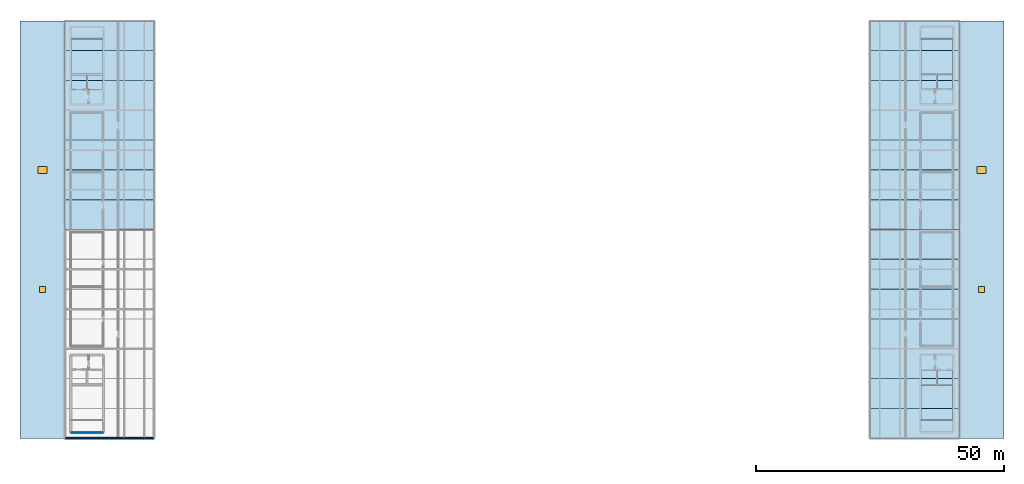
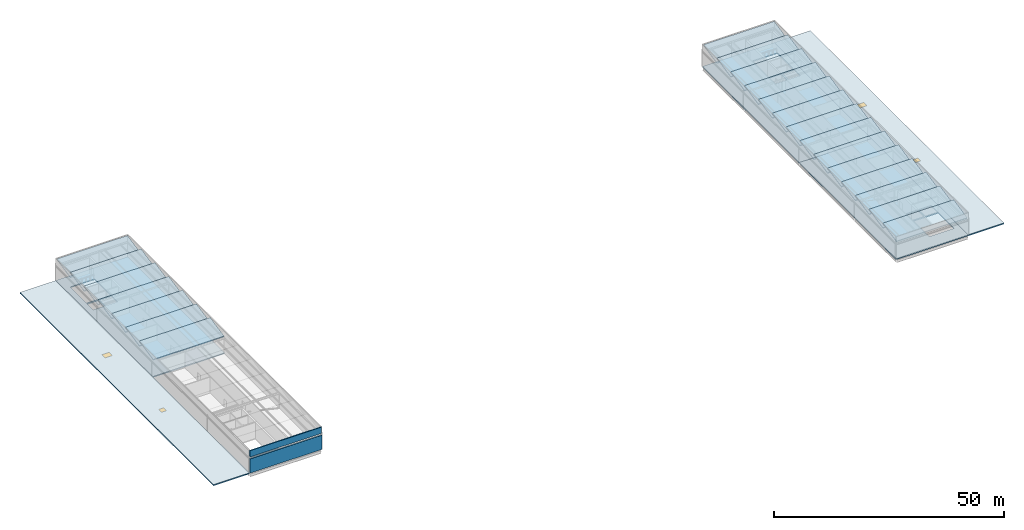
# One storey, part 8 of 13: 26 slabs, 4 windows, 3 walls, 4 openings, 2 elements without a shape of their own.
"""IFC4 building model written with IfcOpenShell, lengths in metres."""

from ifc_helpers import new_model, si_unit, direction, frame, frame_2d, origin, origin_2d, place, context, subcontext, project, spatial, polyline, rectangle, outline, extrude, material, layer, layer_set, type_object, element, fill, aggregate, save


model = new_model("IFC4")

# Units and contexts
model_context = context("Model", 3, precision=1e-05, world=origin(), true_north=direction((0.0, 1.0)))
body_context = subcontext(model_context, "Body", "Model", "MODEL_VIEW")
ifc_project = project(units=[si_unit("LENGTHUNIT", "METRE"), si_unit("AREAUNIT", "SQUARE_METRE"), si_unit("VOLUMEUNIT", "CUBIC_METRE"), si_unit("PLANEANGLEUNIT", "RADIAN"), si_unit("MASSUNIT", "GRAM", prefix="KILO")], contexts=[model_context])

# Site, building, storey
site_placement = place(None, origin())
site = spatial("IfcSite", under=ifc_project, at=site_placement, CompositionType="ELEMENT")
building_placement = place(site_placement, origin())
building = spatial("IfcBuilding", under=site, at=building_placement, Name="Kisiwana Market Hall", CompositionType="ELEMENT")
storey_placement = place(building_placement, frame((0.0, 0.0, 69.89990234375)))
storey = spatial("IfcBuildingStorey", under=building, at=storey_placement, Name="L16", CompositionType="ELEMENT", Elevation=69.89990234375)

# Roof, slabs
ifc_material_1 = material(Name="Steel S355", Category="steel")
ifc_layer_1 = layer(ifc_material_1, 0.18505859375)
ifc_layer_set_1 = layer_set([ifc_layer_1], Name="RF-SAWTOOTH")
roof_type = type_object("IfcRoofType", Name="RF-SAWTOOTH", PredefinedType="SHED_ROOF", material=ifc_layer_set_1)
roof_1_placement = place(storey_placement, origin())
roof_1 = element("IfcRoof", 1, at=roof_1_placement, inside=storey, type_object=roof_type, Name="Constructivist sawtooth crown roof assembly W", PredefinedType="SHED_ROOF")
ifc_material_2 = material(Name="Concrete C32/40", Category="concrete")
ifc_layer_2 = layer(ifc_material_2, 0.27490234375)
ifc_layer_set_2 = layer_set([ifc_layer_2], Name="SL-CRN-ROOF-230")
slab_type_1 = type_object("IfcSlabType", Name="SL-CRN-ROOF-230", PredefinedType="ROOF", material=ifc_layer_set_2)
slab_1_placement = place(storey_placement, frame((9.1298828125, 60.0, 4.494140625), z_axis=(0.0, -0.20791968542, 0.978145901394), x_axis=(1.0, 0.0, 0.0)))
slab_1 = element("IfcSlab", 2, at=slab_1_placement, type_object=slab_type_1, Name="Crown sawtooth roof deck S-489", PredefinedType="ROOF", context=body_context, shape_type="SweptSolid", body=[
    extrude(outline(polyline([(0.0, 0.0), (17.740234375, 0.0), (17.740234375, 6.134054225904585), (0.0, 6.134054225904585), (0.0, 0.0)])), origin(), (0.0, 0.0, -1.0), 0.27490234375),
])
slab_2_placement = place(storey_placement, frame((9.1298828125, 66.0, 4.494140625), z_axis=(0.0, -0.20791968542, 0.978145901394), x_axis=(1.0, 0.0, 0.0)))
slab_2 = element("IfcSlab", 3, at=slab_2_placement, type_object=slab_type_1, Name="Crown sawtooth roof deck S-490", PredefinedType="ROOF", context=body_context, shape_type="SweptSolid", body=[
    extrude(outline(polyline([(0.0, 0.0), (17.740234375, 0.0), (17.740234375, 6.134054225904585), (0.0, 6.134054225904585), (0.0, 0.0)])), origin(), (0.0, 0.0, -1.0), 0.27490234375),
])
slab_3_placement = place(storey_placement, frame((9.1298828125, 72.0, 4.494140625), z_axis=(0.0, -0.20791968542, 0.978145901394), x_axis=(1.0, 0.0, 0.0)))
slab_3 = element("IfcSlab", 4, at=slab_3_placement, type_object=slab_type_1, Name="Crown sawtooth roof deck S-491", PredefinedType="ROOF", context=body_context, shape_type="SweptSolid", body=[
    extrude(outline(polyline([(0.0, 0.0), (17.740234375, 0.0), (17.740234375, 6.134054225904585), (0.0, 6.134054225904585), (0.0, 0.0)])), origin(), (0.0, 0.0, -1.0), 0.27490234375),
])
slab_4_placement = place(storey_placement, frame((9.1298828125, 78.0, 4.494140625), z_axis=(0.0, -0.20791968542, 0.978145901394), x_axis=(1.0, 0.0, 0.0)))
slab_4 = element("IfcSlab", 5, at=slab_4_placement, type_object=slab_type_1, Name="Crown sawtooth roof deck S-492", PredefinedType="ROOF", context=body_context, shape_type="SweptSolid", body=[
    extrude(outline(polyline([(0.0, 0.0), (17.740234375, 0.0), (17.740234375, 6.134054225904585), (0.0, 6.134054225904585), (0.0, 0.0)])), origin(), (0.0, 0.0, -1.0), 0.27490234375),
])
slab_5_placement = place(storey_placement, frame((9.1298828125, 84.0, 4.494140625), z_axis=(0.0, -0.20791968542, 0.978145901394), x_axis=(1.0, 0.0, 0.0)))
slab_5 = element("IfcSlab", 6, at=slab_5_placement, type_object=slab_type_1, Name="Crown sawtooth roof deck S-493", PredefinedType="ROOF", context=body_context, shape_type="SweptSolid", body=[
    extrude(outline(polyline([(0.0, 0.0), (17.740234375, 0.0), (17.740234375, 6.134054225904585), (0.0, 6.134054225904585), (0.0, 0.0)])), origin(), (0.0, 0.0, -1.0), 0.27490234375),
])
slab_6_placement = place(storey_placement, frame((9.1298828125, 90.0, 4.494140625), z_axis=(0.0, -0.20791968542, 0.978145901394), x_axis=(1.0, 0.0, 0.0)))
slab_6 = element("IfcSlab", 7, at=slab_6_placement, type_object=slab_type_1, Name="Crown sawtooth roof deck S-494", PredefinedType="ROOF", context=body_context, shape_type="SweptSolid", body=[
    extrude(outline(polyline([(0.0, 0.0), (17.740234375, 0.0), (17.740234375, 6.134054225904585), (0.0, 6.134054225904585), (0.0, 0.0)])), origin(), (0.0, 0.0, -1.0), 0.27490234375),
])
slab_7_placement = place(storey_placement, frame((9.1298828125, 96.0, 4.494140625), z_axis=(0.0, -0.207884056444, 0.978153474193), x_axis=(1.0, 0.0, 0.0)))
slab_7 = element("IfcSlab", 8, at=slab_7_placement, type_object=slab_type_1, Name="Crown sawtooth roof deck S-495", PredefinedType="ROOF", context=body_context, shape_type="SweptSolid", body=[
    extrude(outline(polyline([(0.0, 0.0), (17.740234375, 0.0), (17.740234375, 6.001223061995146), (0.0, 6.001223061995146), (0.0, 0.0)])), origin(), (0.0, 0.0, -1.0), 0.27490234375),
])
aggregate(roof_1, [slab_1, slab_2, slab_3, slab_4, slab_5, slab_6, slab_7])

roof_2_placement = place(storey_placement, origin())
roof_2 = element("IfcRoof", 9, at=roof_2_placement, inside=storey, type_object=roof_type, Name="Constructivist sawtooth crown roof assembly E", PredefinedType="SHED_ROOF")
slab_8_placement = place(storey_placement, frame((171.1298828125, 18.1298828125, 4.494140625), z_axis=(0.0, -0.207884056444, 0.978153474193), x_axis=(1.0, 0.0, 0.0)))
slab_8 = element("IfcSlab", 10, at=slab_8_placement, type_object=slab_type_1, Name="Crown sawtooth roof deck S-468", PredefinedType="ROOF", context=body_context, shape_type="SweptSolid", body=[
    extrude(outline(polyline([(0.0, 0.0), (17.740234375, 0.0), (17.740234375, 6.001223061995146), (0.0, 6.001223061995146), (0.0, 0.0)])), origin(), (0.0, 0.0, -1.0), 0.27490234375),
])
slab_9_placement = place(storey_placement, frame((171.1298828125, 24.0, 4.494140625), z_axis=(0.0, -0.20791968542, 0.978145901394), x_axis=(1.0, 0.0, 0.0)))
slab_9 = element("IfcSlab", 11, at=slab_9_placement, type_object=slab_type_1, Name="Crown sawtooth roof deck S-469", PredefinedType="ROOF", context=body_context, shape_type="SweptSolid", body=[
    extrude(outline(polyline([(0.0, 0.0), (17.740234375, 0.0), (17.740234375, 6.134054225904585), (0.0, 6.134054225904585), (0.0, 0.0)])), origin(), (0.0, 0.0, -1.0), 0.27490234375),
])
slab_10_placement = place(storey_placement, frame((171.1298828125, 30.0, 4.494140625), z_axis=(0.0, -0.20791968542, 0.978145901394), x_axis=(1.0, 0.0, 0.0)))
slab_10 = element("IfcSlab", 12, at=slab_10_placement, type_object=slab_type_1, Name="Crown sawtooth roof deck S-470", PredefinedType="ROOF", context=body_context, shape_type="SweptSolid", body=[
    extrude(outline(polyline([(0.0, 0.0), (17.740234375, 0.0), (17.740234375, 6.134054225904585), (0.0, 6.134054225904585), (0.0, 0.0)])), origin(), (0.0, 0.0, -1.0), 0.27490234375),
])
slab_11_placement = place(storey_placement, frame((171.1298828125, 36.0, 4.494140625), z_axis=(0.0, -0.20791968542, 0.978145901394), x_axis=(1.0, 0.0, 0.0)))
slab_11 = element("IfcSlab", 13, at=slab_11_placement, type_object=slab_type_1, Name="Crown sawtooth roof deck S-471", PredefinedType="ROOF", context=body_context, shape_type="SweptSolid", body=[
    extrude(outline(polyline([(0.0, 0.0), (17.740234375, 0.0), (17.740234375, 6.134054225904585), (0.0, 6.134054225904585), (0.0, 0.0)])), origin(), (0.0, 0.0, -1.0), 0.27490234375),
])
slab_12_placement = place(storey_placement, frame((171.1298828125, 42.0, 4.494140625), z_axis=(0.0, -0.20791968542, 0.978145901394), x_axis=(1.0, 0.0, 0.0)))
slab_12 = element("IfcSlab", 14, at=slab_12_placement, type_object=slab_type_1, Name="Crown sawtooth roof deck S-472", PredefinedType="ROOF", context=body_context, shape_type="SweptSolid", body=[
    extrude(outline(polyline([(0.0, 0.0), (17.740234375, 0.0), (17.740234375, 6.134054225904585), (0.0, 6.134054225904585), (0.0, 0.0)])), origin(), (0.0, 0.0, -1.0), 0.27490234375),
])
slab_13_placement = place(storey_placement, frame((171.1298828125, 48.0, 4.494140625), z_axis=(0.0, -0.20791968542, 0.978145901394), x_axis=(1.0, 0.0, 0.0)))
slab_13 = element("IfcSlab", 15, at=slab_13_placement, type_object=slab_type_1, Name="Crown sawtooth roof deck S-473", PredefinedType="ROOF", context=body_context, shape_type="SweptSolid", body=[
    extrude(outline(polyline([(0.0, 0.0), (17.740234375, 0.0), (17.740234375, 6.134054225904585), (0.0, 6.134054225904585), (0.0, 0.0)])), origin(), (0.0, 0.0, -1.0), 0.27490234375),
])
slab_14_placement = place(storey_placement, frame((171.1298828125, 54.0, 4.494140625), z_axis=(0.0, -0.20791968542, 0.978145901394), x_axis=(1.0, 0.0, 0.0)))
slab_14 = element("IfcSlab", 16, at=slab_14_placement, type_object=slab_type_1, Name="Crown sawtooth roof deck S-474", PredefinedType="ROOF", context=body_context, shape_type="SweptSolid", body=[
    extrude(outline(polyline([(0.0, 0.0), (17.740234375, 0.0), (17.740234375, 6.134054225904585), (0.0, 6.134054225904585), (0.0, 0.0)])), origin(), (0.0, 0.0, -1.0), 0.27490234375),
])
slab_15_placement = place(storey_placement, frame((171.1298828125, 60.0, 4.494140625), z_axis=(0.0, -0.20791968542, 0.978145901394), x_axis=(1.0, 0.0, 0.0)))
slab_15 = element("IfcSlab", 17, at=slab_15_placement, type_object=slab_type_1, Name="Crown sawtooth roof deck S-475", PredefinedType="ROOF", context=body_context, shape_type="SweptSolid", body=[
    extrude(outline(polyline([(0.0, 0.0), (17.740234375, 0.0), (17.740234375, 6.134054225904585), (0.0, 6.134054225904585), (0.0, 0.0)])), origin(), (0.0, 0.0, -1.0), 0.27490234375),
])
slab_16_placement = place(storey_placement, frame((171.1298828125, 66.0, 4.494140625), z_axis=(0.0, -0.20791968542, 0.978145901394), x_axis=(1.0, 0.0, 0.0)))
slab_16 = element("IfcSlab", 18, at=slab_16_placement, type_object=slab_type_1, Name="Crown sawtooth roof deck S-476", PredefinedType="ROOF", context=body_context, shape_type="SweptSolid", body=[
    extrude(outline(polyline([(0.0, 0.0), (17.740234375, 0.0), (17.740234375, 6.134054225904585), (0.0, 6.134054225904585), (0.0, 0.0)])), origin(), (0.0, 0.0, -1.0), 0.27490234375),
])
slab_17_placement = place(storey_placement, frame((171.1298828125, 72.0, 4.494140625), z_axis=(0.0, -0.20791968542, 0.978145901394), x_axis=(1.0, 0.0, 0.0)))
slab_17 = element("IfcSlab", 19, at=slab_17_placement, type_object=slab_type_1, Name="Crown sawtooth roof deck S-477", PredefinedType="ROOF", context=body_context, shape_type="SweptSolid", body=[
    extrude(outline(polyline([(0.0, 0.0), (17.740234375, 0.0), (17.740234375, 6.134054225904585), (0.0, 6.134054225904585), (0.0, 0.0)])), origin(), (0.0, 0.0, -1.0), 0.27490234375),
])
slab_18_placement = place(storey_placement, frame((171.1298828125, 78.0, 4.494140625), z_axis=(0.0, -0.20791968542, 0.978145901394), x_axis=(1.0, 0.0, 0.0)))
slab_18 = element("IfcSlab", 20, at=slab_18_placement, type_object=slab_type_1, Name="Crown sawtooth roof deck S-478", PredefinedType="ROOF", context=body_context, shape_type="SweptSolid", body=[
    extrude(outline(polyline([(0.0, 0.0), (17.740234375, 0.0), (17.740234375, 6.134054225904585), (0.0, 6.134054225904585), (0.0, 0.0)])), origin(), (0.0, 0.0, -1.0), 0.27490234375),
])
slab_19_placement = place(storey_placement, frame((171.1298828125, 84.0, 4.494140625), z_axis=(0.0, -0.20791968542, 0.978145901394), x_axis=(1.0, 0.0, 0.0)))
slab_19 = element("IfcSlab", 21, at=slab_19_placement, type_object=slab_type_1, Name="Crown sawtooth roof deck S-479", PredefinedType="ROOF", context=body_context, shape_type="SweptSolid", body=[
    extrude(outline(polyline([(0.0, 0.0), (17.740234375, 0.0), (17.740234375, 6.134054225904585), (0.0, 6.134054225904585), (0.0, 0.0)])), origin(), (0.0, 0.0, -1.0), 0.27490234375),
])
slab_20_placement = place(storey_placement, frame((171.1298828125, 90.0, 4.494140625), z_axis=(0.0, -0.20791968542, 0.978145901394), x_axis=(1.0, 0.0, 0.0)))
slab_20 = element("IfcSlab", 22, at=slab_20_placement, type_object=slab_type_1, Name="Crown sawtooth roof deck S-480", PredefinedType="ROOF", context=body_context, shape_type="SweptSolid", body=[
    extrude(outline(polyline([(0.0, 0.0), (17.740234375, 0.0), (17.740234375, 6.134054225904585), (0.0, 6.134054225904585), (0.0, 0.0)])), origin(), (0.0, 0.0, -1.0), 0.27490234375),
])
slab_21_placement = place(storey_placement, frame((171.1298828125, 96.0, 4.494140625), z_axis=(0.0, -0.207884056444, 0.978153474193), x_axis=(1.0, 0.0, 0.0)))
slab_21 = element("IfcSlab", 23, at=slab_21_placement, type_object=slab_type_1, Name="Crown sawtooth roof deck S-481", PredefinedType="ROOF", context=body_context, shape_type="SweptSolid", body=[
    extrude(outline(polyline([(0.0, 0.0), (17.740234375, 0.0), (17.740234375, 6.001223061995146), (0.0, 6.001223061995146), (0.0, 0.0)])), origin(), (0.0, 0.0, -1.0), 0.27490234375),
])
aggregate(roof_2, [slab_8, slab_9, slab_10, slab_11, slab_12, slab_13, slab_14, slab_15, slab_16, slab_17, slab_18, slab_19, slab_20, slab_21])

# Slabs
ifc_material_3 = material(Name="Concrete C32/40", Category="concrete")
ifc_layer_3 = layer(ifc_material_3, 0.280029296875)
ifc_layer_set_3 = layer_set([ifc_layer_3], Name="SL-PLANT-280")
slab_type_2 = type_object("IfcSlabType", Name="SL-PLANT-280", PredefinedType="FLOOR", material=ifc_layer_set_3)
slab_22_placement = place(storey_placement, frame((0.0, 0.0, -0.27978515625)))
element("IfcSlab", 24, at=slab_22_placement, inside=storey, type_object=slab_type_2, Name="Structural slab S-497", PredefinedType="FLOOR", context=body_context, shape_type="SweptSolid", body=[
    extrude(outline(polyline([(9.0, 60.0), (27.0, 60.0), (27.0, 102.0), (9.0, 102.0), (9.0, 60.0)]), holes=[polyline([(10.425048828125, 91.375), (16.574951171875, 91.375), (16.574951171875, 98.324951171875), (10.425048828125, 98.324951171875), (10.425048828125, 91.375)]), polyline([(10.425048828125, 88.324951171875), (13.340087890625, 88.324951171875), (13.340087890625, 91.054931640625), (10.425048828125, 91.054931640625), (10.425048828125, 88.324951171875)]), polyline([(13.659912109375, 88.324951171875), (16.574951171875, 88.324951171875), (16.574951171875, 91.054931640625), (13.659912109375, 91.054931640625), (13.659912109375, 88.324951171875)])]), origin(), (0.0, 0.0, 1.0), 0.27978515625),
])
slab_23_placement = place(storey_placement, frame((0.0, 0.0, -0.27978515625)))
element("IfcSlab", 25, at=slab_23_placement, inside=storey, type_object=slab_type_2, Name="Structural slab S-498", PredefinedType="FLOOR", context=body_context, shape_type="SweptSolid", body=[
    extrude(outline(polyline([(171.0, 18.0), (189.0, 18.0), (189.0, 60.0), (171.0, 60.0), (171.0, 18.0)]), holes=[polyline([(181.39990234375, 21.64990234375), (187.60009765625, 21.64990234375), (187.60009765625, 28.60009765625), (181.39990234375, 28.60009765625), (181.39990234375, 21.64990234375)]), polyline([(181.39990234375, 28.919921875), (184.340087890625, 28.919921875), (184.340087890625, 31.64990234375), (181.39990234375, 31.64990234375), (181.39990234375, 28.919921875)]), polyline([(184.659912109375, 28.919921875), (187.60009765625, 28.919921875), (187.60009765625, 31.64990234375), (184.659912109375, 31.64990234375), (184.659912109375, 28.919921875)])]), origin(), (0.0, 0.0, 1.0), 0.27978515625),
])
slab_24_placement = place(storey_placement, frame((0.0, 0.0, -0.27978515625)))
element("IfcSlab", 26, at=slab_24_placement, inside=storey, type_object=slab_type_2, Name="Structural slab S-499", PredefinedType="FLOOR", context=body_context, shape_type="SweptSolid", body=[
    extrude(outline(polyline([(171.0, 60.0), (189.0, 60.0), (189.0, 102.0), (171.0, 102.0), (171.0, 60.0)]), holes=[polyline([(181.39990234375, 91.39990234375), (187.60009765625, 91.39990234375), (187.60009765625, 98.35009765625), (181.39990234375, 98.35009765625), (181.39990234375, 91.39990234375)]), polyline([(181.39990234375, 88.35009765625), (184.340087890625, 88.35009765625), (184.340087890625, 91.080078125), (181.39990234375, 91.080078125), (181.39990234375, 88.35009765625)]), polyline([(184.659912109375, 88.35009765625), (187.60009765625, 88.35009765625), (187.60009765625, 91.080078125), (184.659912109375, 91.080078125), (184.659912109375, 88.35009765625)])]), origin(), (0.0, 0.0, 1.0), 0.27978515625),
])

# Slab, openings, windows
ifc_material_4 = material(Name="Concrete C32/40", Category="concrete")
ifc_layer_4 = layer(ifc_material_4, 0.2919921875)
ifc_layer_set_4 = layer_set([ifc_layer_4], Name="SL-POD-ROOF-210")
slab_type_3 = type_object("IfcSlabType", Name="SL-POD-ROOF-210", PredefinedType="ROOF", material=ifc_layer_set_4)
slab_25_placement = place(storey_placement, frame((0.0, 0.0, -0.2919921875)))
slab_25 = element("IfcSlab", 27, at=slab_25_placement, inside=storey, type_object=slab_type_3, Name="Structural roof slab S-467", PredefinedType="ROOF", context=body_context, shape_type="SweptSolid", body=[
    extrude(outline(polyline([(0.0, 18.0), (9.0, 18.0), (9.0, 102.0), (0.0, 102.0), (0.0, 18.0)])), origin(), (0.0, 0.0, 1.0), 0.2919921875),
])
opening_1_placement = place(slab_25_placement, frame((4.5, 48.0, 0.0)))
opening_1 = element("IfcOpeningElement", 28, at=opening_1_placement, cuts=slab_25, Name="Opening WN-25", PredefinedType="OPENING", context=body_context, shape_type="SweptSolid", body=[
    extrude(rectangle(XDim=1.199951171875, YDim=1.199951171875, at=origin_2d()), origin(), (0.0, 0.0, 1.0), 0.2919921875),
])
opening_2_placement = place(slab_25_placement, frame((4.5, 72.0, 0.0)))
opening_2 = element("IfcOpeningElement", 29, at=opening_2_placement, cuts=slab_25, Name="Opening WN-19", PredefinedType="OPENING", context=body_context, shape_type="SweptSolid", body=[
    extrude(rectangle(XDim=1.800048828125, YDim=1.39990234375, at=origin_2d()), origin(), (0.0, 0.0, 1.0), 0.2919921875),
])
ifc_material_5 = material(Name="Double-glazed solar-control low-E IGU", Category="glass")
window_type_1 = type_object("IfcWindowType", Name="WN-HATCH-1200x1200", PartitioningType="SINGLE_PANEL", PredefinedType="SKYLIGHT", material=ifc_material_5)
window_1_placement = place(opening_1_placement, frame((0.0, 0.0, 0.241943359375)))
window_1 = element("IfcWindow", 30, at=window_1_placement, inside=storey, type_object=window_type_1, Name="Flat-roof skylight hatch WN-413", OverallHeight=1.199951171875, OverallWidth=1.199951171875, PartitioningType="SINGLE_PANEL", PredefinedType="SKYLIGHT", context=body_context, shape_type="SweptSolid", body=[
    extrude(rectangle(XDim=1.199951171875, YDim=1.199951171875, at=origin_2d()), origin(), (0.0, 0.0, 1.0), 0.050048828125),
])
fill(opening_1, window_1)
ifc_material_6 = material(Name="Double-glazed solar-control low-E IGU", Category="glass")
window_type_2 = type_object("IfcWindowType", Name="WN-HATCH-1800x1400", PartitioningType="SINGLE_PANEL", PredefinedType="SKYLIGHT", material=ifc_material_6)
window_2_placement = place(opening_2_placement, frame((0.0, 0.0, 0.241943359375)))
window_2 = element("IfcWindow", 31, at=window_2_placement, inside=storey, type_object=window_type_2, Name="Flat-roof skylight hatch WN-411", OverallHeight=1.39990234375, OverallWidth=1.800048828125, PartitioningType="SINGLE_PANEL", PredefinedType="SKYLIGHT", context=body_context, shape_type="SweptSolid", body=[
    extrude(rectangle(XDim=1.800048828125, YDim=1.39990234375, at=origin_2d()), origin(), (0.0, 0.0, 1.0), 0.050048828125),
])
fill(opening_2, window_2)

slab_26_placement = place(storey_placement, frame((0.0, 0.0, -0.2919921875)))
slab_26 = element("IfcSlab", 32, at=slab_26_placement, inside=storey, type_object=slab_type_3, Name="Structural roof slab S-466", PredefinedType="ROOF", context=body_context, shape_type="SweptSolid", body=[
    extrude(outline(polyline([(189.0, 18.0), (198.0, 18.0), (198.0, 102.0), (189.0, 102.0), (189.0, 18.0)])), origin(), (0.0, 0.0, 1.0), 0.2919921875),
])
opening_3_placement = place(slab_26_placement, frame((193.5, 48.0, 0.0)))
opening_3 = element("IfcOpeningElement", 33, at=opening_3_placement, cuts=slab_26, Name="Opening WN-25", PredefinedType="OPENING", context=body_context, shape_type="SweptSolid", body=[
    extrude(rectangle(XDim=1.199951171875, YDim=1.199951171875, at=origin_2d()), origin(), (0.0, 0.0, 1.0), 0.2919921875),
])
opening_4_placement = place(slab_26_placement, frame((193.5, 72.0, 0.0)))
opening_4 = element("IfcOpeningElement", 34, at=opening_4_placement, cuts=slab_26, Name="Opening WN-19", PredefinedType="OPENING", context=body_context, shape_type="SweptSolid", body=[
    extrude(rectangle(XDim=1.800048828125, YDim=1.39990234375, at=origin_2d()), origin(), (0.0, 0.0, 1.0), 0.2919921875),
])
window_3_placement = place(opening_3_placement, frame((0.0, 0.0, 0.241943359375)))
window_3 = element("IfcWindow", 35, at=window_3_placement, inside=storey, type_object=window_type_1, Name="Flat-roof skylight hatch WN-414", OverallHeight=1.199951171875, OverallWidth=1.199951171875, PartitioningType="SINGLE_PANEL", PredefinedType="SKYLIGHT", context=body_context, shape_type="SweptSolid", body=[
    extrude(rectangle(XDim=1.199951171875, YDim=1.199951171875, at=origin_2d()), origin(), (0.0, 0.0, 1.0), 0.050048828125),
])
fill(opening_3, window_3)
window_4_placement = place(opening_4_placement, frame((0.0, 0.0, 0.241943359375)))
window_4 = element("IfcWindow", 36, at=window_4_placement, inside=storey, type_object=window_type_2, Name="Flat-roof skylight hatch WN-412", OverallHeight=1.39990234375, OverallWidth=1.800048828125, PartitioningType="SINGLE_PANEL", PredefinedType="SKYLIGHT", context=body_context, shape_type="SweptSolid", body=[
    extrude(rectangle(XDim=1.800048828125, YDim=1.39990234375, at=origin_2d()), origin(), (0.0, 0.0, 1.0), 0.050048828125),
])
fill(opening_4, window_4)

# Walls
ifc_material_7 = material(Name="Concrete C40/50", Category="concrete")
ifc_layer_5 = layer(ifc_material_7, 0.449951171875, Name="Reinforced concrete core wall")
ifc_layer_set_5 = layer_set([ifc_layer_5], Name="WL-CORE-450")
wall_type_1 = type_object("IfcWallType", Name="WL-CORE-450", PredefinedType="SHEAR", material=ifc_layer_set_5)
wall_1_placement = place(storey_placement, frame((10.199951171875, 19.199951171875, 0.0), z_axis=(0.0, 0.0, 1.0), x_axis=(1.0, 0.0, 0.0)))
element("IfcWall", 37, at=wall_1_placement, inside=storey, type_object=wall_type_1, Name="Core W2 south shear wall W-3491", PredefinedType="SHEAR", context=body_context, shape_type="SweptSolid", body=[
    extrude(rectangle(XDim=6.60009765625, YDim=0.449951171875, at=frame_2d((3.300048828125, 0.0))), origin(), (0.0, 0.0, 1.0), 4.22509765625),
])
ifc_material_8 = material(Name="Concrete C40/50 precast", Category="concrete")
ifc_layer_6 = layer(ifc_material_8, 0.364990234375)
ifc_layer_set_6 = layer_set([ifc_layer_6], Name="WL-EXT-365")
wall_type_2 = type_object("IfcWallType", Name="WL-EXT-365", PredefinedType="STANDARD", material=ifc_layer_set_6)
wall_2_placement = place(storey_placement, frame((9.010009765625, 18.0, 0.0), z_axis=(0.0, 0.0, 1.0), x_axis=(1.0, 0.0, 0.0)))
element("IfcWall", 38, at=wall_2_placement, inside=storey, type_object=wall_type_2, Name="Exterior wall W-3527", PredefinedType="STANDARD", context=body_context, shape_type="SweptSolid", body=[
    extrude(rectangle(XDim=17.97998046875, YDim=0.364990234375, at=frame_2d((8.989990234375, 0.0))), origin(), (0.0, 0.0, 1.0), 3.76513671875),
])
ifc_material_9 = material(Name="Concrete C40/50", Category="concrete")
ifc_layer_7 = layer(ifc_material_9, 0.239990234375, Name="Reinforced concrete roof parapet")
ifc_layer_set_7 = layer_set([ifc_layer_7], Name="WL-PARA-240")
wall_type_3 = type_object("IfcWallType", Name="WL-PARA-240", PredefinedType="PARAPET", material=ifc_layer_set_7)
wall_3_placement = place(storey_placement, frame((9.0, 18.0, 4.22509765625), z_axis=(0.0, 0.0, 1.0), x_axis=(1.0, 0.0, 0.0)))
element("IfcWall", 39, at=wall_3_placement, inside=storey, type_object=wall_type_3, Name="Roof parapet wall W-3569", PredefinedType="PARAPET", context=body_context, shape_type="SweptSolid", body=[
    extrude(rectangle(XDim=18.0, YDim=0.239990234375, at=frame_2d((9.0, 0.0))), origin(), (0.0, 0.0, 1.0), 1.675048828125),
])

save(model, "model.ifc")
